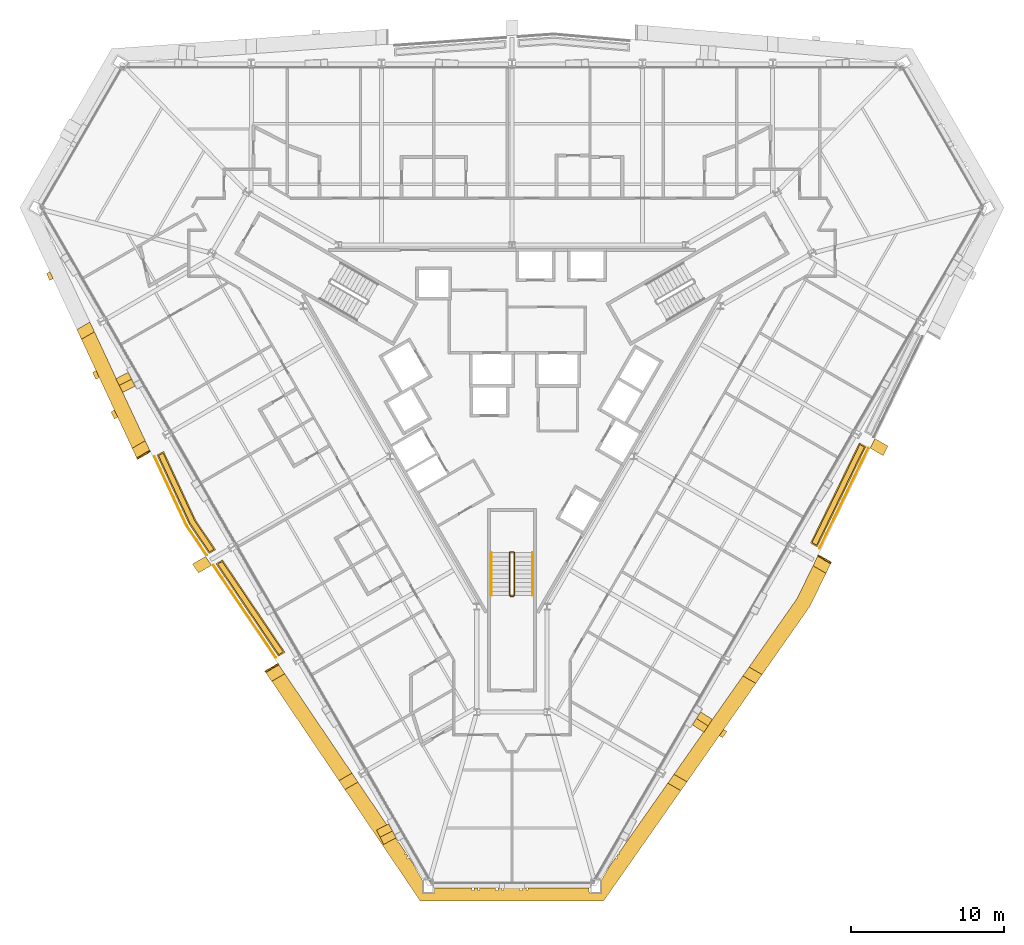
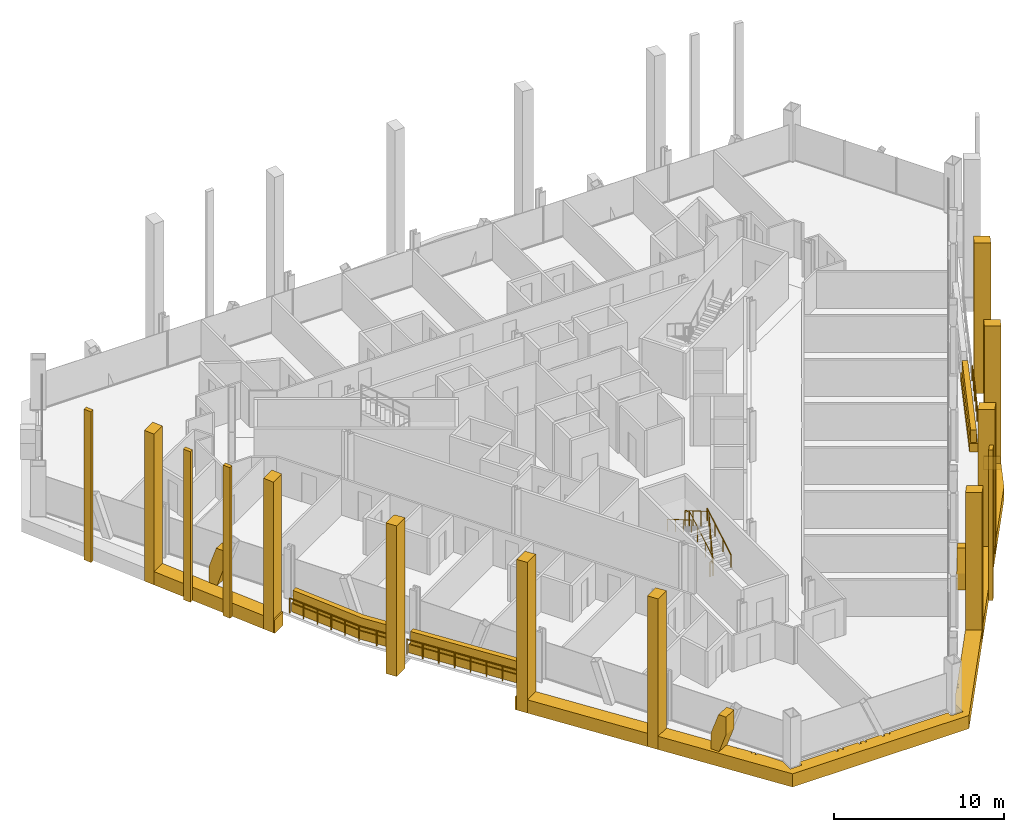
# One storey, part 16 of 18: 30 coverings, 6 railings.
"""IFC4 building model written with IfcOpenShell, lengths in metres."""

from ifc_helpers import new_model, si_unit, direction, frame, origin, origin_2d, place, context, subcontext, project, spatial, polyline, circle, outline, extrude, material, layer, layer_set, type_object, element, save


model = new_model("IFC4")

# Units and contexts
model_context = context("Model", 3, precision=1e-05, world=origin(), true_north=direction((0.0, 1.0)))
body_context = subcontext(model_context, "Body", "Model", "MODEL_VIEW")
ifc_project = project(units=[si_unit("LENGTHUNIT", "METRE"), si_unit("AREAUNIT", "SQUARE_METRE"), si_unit("VOLUMEUNIT", "CUBIC_METRE"), si_unit("PLANEANGLEUNIT", "RADIAN"), si_unit("MASSUNIT", "GRAM", prefix="KILO")], contexts=[model_context])

# Site, building, storey
site_placement = place(None, origin())
site = spatial("IfcSite", under=ifc_project, at=site_placement, CompositionType="ELEMENT")
building_placement = place(site_placement, origin())
building = spatial("IfcBuilding", under=site, at=building_placement, Name="Verrane Prism Tower", CompositionType="ELEMENT")
storey_placement = place(building_placement, frame((0.0, 0.0, 47.60009765625)))
storey = spatial("IfcBuildingStorey", under=building, at=storey_placement, Name="L09", CompositionType="ELEMENT", Elevation=47.60009765625)

# Coverings
ifc_material_1 = material(Name="Planting medium in stone kerb", Category="masonry")
covering_type_1 = type_object("IfcCoveringType", Name="Planter bed 600", PredefinedType="USERDEFINED", material=ifc_material_1)
covering_1_placement = place(storey_placement, origin())
element("IfcCovering", 1, at=covering_1_placement, inside=storey, type_object=covering_type_1, Name="Loggia planter SW3 L09", ObjectType="PLANTER", PredefinedType="USERDEFINED", context=body_context, shape_type="SweptSolid", body=[
    extrude(outline(polyline([(-23.177490234375, -4.529296875), (-21.0810546875, -9.0263671875), (-19.777099609375, -10.956298828125), (-19.343994140625, -10.706298828125), (-20.648193359375, -8.7763671875), (-22.744384765625, -4.279296875), (-23.177490234375, -4.529296875)])), origin(), (0.0, 0.0, 1.0), 0.599853515625),
])
covering_2_placement = place(storey_placement, origin())
element("IfcCovering", 2, at=covering_2_placement, inside=storey, type_object=covering_type_1, Name="Loggia planter SW4 L09", ObjectType="PLANTER", PredefinedType="USERDEFINED", context=body_context, shape_type="SweptSolid", body=[
    extrude(outline(polyline([(-19.327880859375, -11.620849609375), (-15.249755859375, -17.656494140625), (-14.81689453125, -17.406494140625), (-18.89501953125, -11.370849609375), (-19.327880859375, -11.620849609375)])), origin(), (0.0, 0.0, 1.0), 0.599853515625),
])
covering_3_placement = place(storey_placement, origin())
element("IfcCovering", 3, at=covering_3_placement, inside=storey, type_object=covering_type_1, Name="Loggia planter SE4 L09", ObjectType="PLANTER", PredefinedType="USERDEFINED", context=body_context, shape_type="SweptSolid", body=[
    extrude(outline(polyline([(19.925537109375, -10.5224609375), (23.11328125, -3.972900390625), (22.680419921875, -3.722900390625), (19.492431640625, -10.2724609375), (19.925537109375, -10.5224609375)])), origin(), (0.0, 0.0, 1.0), 0.599853515625),
])
ifc_material_2 = material(Name="Planted shrubs and grasses", Category="other")
covering_type_2 = type_object("IfcCoveringType", Name="Planting mass 1000", PredefinedType="USERDEFINED", material=ifc_material_2)
covering_4_placement = place(storey_placement, frame((0.0, 0.0, 0.599853515625)))
element("IfcCovering", 4, at=covering_4_placement, inside=storey, type_object=covering_type_2, Name="Loggia planting SW3 L09", ObjectType="PLANTING", PredefinedType="USERDEFINED", context=body_context, shape_type="SweptSolid", body=[
    extrude(outline(polyline([(-21.01123046875, -8.98681640625), (-19.75244140625, -10.849853515625), (-19.45849609375, -10.679931640625), (-20.718017578125, -8.81591796875), (-22.780029296875, -4.392333984375), (-23.073974609375, -4.56201171875), (-21.01123046875, -8.98681640625)])), origin(), (0.0, 0.0, 1.0), 0.900146484375),
])
covering_5_placement = place(storey_placement, frame((0.0, 0.0, 0.599853515625)))
element("IfcCovering", 5, at=covering_5_placement, inside=storey, type_object=covering_type_2, Name="Loggia planting SW4 L09", ObjectType="PLANTING", PredefinedType="USERDEFINED", context=body_context, shape_type="SweptSolid", body=[
    extrude(outline(polyline([(-15.22509765625, -17.550048828125), (-14.93115234375, -17.380126953125), (-18.919677734375, -11.4775390625), (-19.213623046875, -11.647216796875), (-15.22509765625, -17.550048828125)])), origin(), (0.0, 0.0, 1.0), 0.900146484375),
])
covering_6_placement = place(storey_placement, frame((0.0, 0.0, 0.599853515625)))
element("IfcCovering", 6, at=covering_6_placement, inside=storey, type_object=covering_type_2, Name="Loggia planting SE4 L09", ObjectType="PLANTING", PredefinedType="USERDEFINED", context=body_context, shape_type="SweptSolid", body=[
    extrude(outline(polyline([(23.0087890625, -4.0048828125), (22.71484375, -3.8349609375), (19.59716796875, -10.240478515625), (19.89111328125, -10.410400390625), (23.0087890625, -4.0048828125)])), origin(), (0.0, 0.0, 1.0), 0.900146484375),
])

# Railings
ifc_material_3 = material(Name="Steel A36 rail and posts, no infill", Category="steel")
railing_type_1 = type_object("IfcRailingType", Name="Stair guard 1100 steel rail and posts", PredefinedType="GUARDRAIL", material=ifc_material_3)
railing_1_placement = place(storey_placement, frame((0.14990234375, -13.699951171875, 0.16357421875)))
element("IfcRailing", 7, at=railing_1_placement, inside=storey, type_object=railing_type_1, Name="Stair 3 guard", PredefinedType="GUARDRAIL", context=body_context, shape_type="SweptSolid", body=[
    extrude(circle(Radius=0.02392578125, at=origin_2d()), frame((0.0, 0.0, 1.076171875), z_axis=(0.0, 0.863393664356, 0.504530851732), x_axis=(-1.0, 0.0, 0.0)), (0.0, 0.0, 1.0), 3.2431640625),
    extrude(circle(Radius=0.02392578125, at=origin_2d()), frame((0.0, 2.800048828125, 2.71240234375), z_axis=(-0.707106781187, 0.707106781187, 0.0), x_axis=(-0.707106781187, -0.707106781187, 0.0)), (0.0, 0.0, 1.0), 0.0703125),
    extrude(circle(Radius=0.02392578125, at=origin_2d()), frame((-0.0498046875, 2.849853515625, 2.71240234375), z_axis=(-1.0, 0.0, 0.0), x_axis=(0.0, -1.0, 0.0)), (0.0, 0.0, 1.0), 0.2001953125),
    extrude(circle(Radius=0.02392578125, at=origin_2d()), frame((-0.25, 2.849853515625, 2.71240234375), z_axis=(-0.279301935624, -0.279301935624, 0.918684307863), x_axis=(0.707106781187, -0.707106781187, 0.0)), (0.0, 0.0, 1.0), 0.17822265625),
    extrude(circle(Radius=0.02392578125, at=origin_2d()), frame((-0.2998046875, 2.800048828125, 2.8759765625), z_axis=(0.0, -0.863393664356, 0.504530851732), x_axis=(1.0, 0.0, 0.0)), (0.0, 0.0, 1.0), 3.2431640625),
    extrude(circle(Radius=0.02392578125, at=origin_2d()), frame((-0.2998046875, 0.0, 4.51220703125), z_axis=(0.069273741535, -0.013868278335, -0.997501288014), x_axis=(0.196300278283, 0.98054382908, 0.0)), (0.0, 0.0, 1.0), 3.60888671875),
    extrude(circle(Radius=0.02392578125, at=origin_2d()), frame((-0.0498046875, -0.050048828125, 0.91259765625), z_axis=(-1.0, 0.0, 0.0), x_axis=(0.0, -1.0, 0.0)), (0.0, 0.0, 1.0), 0.2001953125),
    extrude(circle(Radius=0.02099609375, at=origin_2d()), origin(), (0.0, 0.0, 1.0), 1.052001953125),
    extrude(circle(Radius=0.02099609375, at=origin_2d()), frame((0.0, 0.933349609375, 0.54541015625)), (0.0, 0.0, 1.0), 1.052001953125),
    extrude(circle(Radius=0.02099609375, at=origin_2d()), frame((0.0, 1.86669921875, 1.0908203125)), (0.0, 0.0, 1.0), 1.052001953125),
    extrude(circle(Radius=0.02099609375, at=origin_2d()), frame((0.0, 2.800048828125, 1.63623046875)), (0.0, 0.0, 1.0), 1.052001953125),
    extrude(circle(Radius=0.02099609375, at=origin_2d()), frame((-0.0498046875, 2.849853515625, 1.63623046875)), (0.0, 0.0, 1.0), 1.052001953125),
    extrude(circle(Radius=0.02099609375, at=origin_2d()), frame((-0.25, 2.849853515625, 1.63623046875)), (0.0, 0.0, 1.0), 1.052001953125),
    extrude(circle(Radius=0.02099609375, at=origin_2d()), frame((-0.2998046875, 2.800048828125, 1.800048828125)), (0.0, 0.0, 1.0), 1.052001953125),
    extrude(circle(Radius=0.02099609375, at=origin_2d()), frame((-0.2998046875, 1.86669921875, 2.345458984375)), (0.0, 0.0, 1.0), 1.052001953125),
    extrude(circle(Radius=0.02099609375, at=origin_2d()), frame((-0.2998046875, 0.933349609375, 2.890869140625)), (0.0, 0.0, 1.0), 1.052001953125),
    extrude(circle(Radius=0.02099609375, at=origin_2d()), frame((-0.2998046875, 0.0, 3.436279296875)), (0.0, 0.0, 1.0), 1.052001953125),
    extrude(circle(Radius=0.02099609375, at=origin_2d()), frame((-0.2373046875, -0.012451171875, 2.536376953125)), (0.0, 0.0, 1.0), 1.052001953125),
    extrude(circle(Radius=0.02099609375, at=origin_2d()), frame((-0.1748046875, -0.02490234375, 1.63623046875)), (0.0, 0.0, 1.0), 1.052001953125),
    extrude(circle(Radius=0.02099609375, at=origin_2d()), frame((-0.1123046875, -0.03759765625, 0.736328125)), (0.0, 0.0, 1.0), 1.052001953125),
    extrude(circle(Radius=0.02099609375, at=origin_2d()), frame((-0.0498046875, -0.050048828125, -0.16357421875)), (0.0, 0.0, 1.0), 1.052001953125),
    extrude(circle(Radius=0.02099609375, at=origin_2d()), frame((-0.25, -0.050048828125, -0.16357421875)), (0.0, 0.0, 1.0), 1.052001953125),
])
ifc_material_4 = material(Name="Steel A36 tube", Category="steel")
railing_type_2 = type_object("IfcRailingType", Name="Stair handrail 900 steel tube", PredefinedType="HANDRAIL", material=ifc_material_4)
railing_2_placement = place(storey_placement, frame((1.35009765625, -13.699951171875, 0.16357421875)))
element("IfcRailing", 8, at=railing_2_placement, inside=storey, type_object=railing_type_2, Name="Stair 3 handrail", PredefinedType="HANDRAIL", context=body_context, shape_type="SweptSolid", body=[
    extrude(circle(Radius=0.02392578125, at=origin_2d()), frame((0.0, 0.0, 0.8759765625), z_axis=(0.0, 0.863393664356, 0.504530851732), x_axis=(-1.0, 0.0, 0.0)), (0.0, 0.0, 1.0), 3.2431640625),
    extrude(circle(Radius=0.02099609375, at=origin_2d()), origin(), (0.0, 0.0, 1.0), 0.851806640625),
    extrude(circle(Radius=0.02099609375, at=origin_2d()), frame((0.0, 0.933349609375, 0.54541015625)), (0.0, 0.0, 1.0), 0.851806640625),
    extrude(circle(Radius=0.02099609375, at=origin_2d()), frame((0.0, 1.86669921875, 1.0908203125)), (0.0, 0.0, 1.0), 0.851806640625),
    extrude(circle(Radius=0.02099609375, at=origin_2d()), frame((0.0, 2.800048828125, 1.63623046875)), (0.0, 0.0, 1.0), 0.851806640625),
])
railing_3_placement = place(storey_placement, frame((-1.35009765625, -10.89990234375, 1.963623046875)))
element("IfcRailing", 9, at=railing_3_placement, inside=storey, type_object=railing_type_2, Name="Stair 3 handrail", PredefinedType="HANDRAIL", context=body_context, shape_type="SweptSolid", body=[
    extrude(circle(Radius=0.02392578125, at=origin_2d()), frame((0.0, 0.0, 0.8759765625), z_axis=(0.0, -0.863393664356, 0.504530851732), x_axis=(1.0, 0.0, 0.0)), (0.0, 0.0, 1.0), 3.2431640625),
    extrude(circle(Radius=0.02099609375, at=origin_2d()), origin(), (0.0, 0.0, 1.0), 0.851806640625),
    extrude(circle(Radius=0.02099609375, at=origin_2d()), frame((0.0, -0.933349609375, 0.54541015625)), (0.0, 0.0, 1.0), 0.851806640625),
    extrude(circle(Radius=0.02099609375, at=origin_2d()), frame((0.0, -1.86669921875, 1.0908203125)), (0.0, 0.0, 1.0), 0.851806640625),
    extrude(circle(Radius=0.02099609375, at=origin_2d()), frame((0.0, -2.800048828125, 1.63623046875)), (0.0, 0.0, 1.0), 0.851806640625),
])

# Coverings
ifc_material_5 = material(Name="Warm limestone cladding", Category="masonry")
ifc_layer_1 = layer(ifc_material_5, 0.89990234375)
ifc_layer_set_1 = layer_set([ifc_layer_1], Name="Stone brace fin 900")
covering_type_3 = type_object("IfcCoveringType", Name="Stone brace fin 900", PredefinedType="CLADDING", material=ifc_layer_set_1)
covering_7_placement = place(storey_placement, frame((-25.465087890625, 0.6630859375, 0.0), z_axis=(0.0, 0.0, 1.0), x_axis=(0.455162412488, -0.890408433394, 0.0)))
element("IfcCovering", 10, at=covering_7_placement, inside=storey, type_object=covering_type_3, Name="Stone brace fin SW2 L09", PredefinedType="CLADDING", context=body_context, shape_type="SweptSolid", body=[
    extrude(outline(polyline([(1.00537109375, 2.64990234375), (0.4921875, 2.64990234375), (0.0, 1.177001953125), (0.0, 0.0), (0.555419921875, 0.0), (1.00537109375, 1.345703125), (1.00537109375, 2.64990234375)])), frame((0.0, 0.449951171875, 0.0), z_axis=(0.0, -1.0, 0.0), x_axis=(1.0, 0.0, 0.0)), (0.0, 0.0, 1.0), 0.89990234375),
])
covering_8_placement = place(storey_placement, frame((-8.447509765625, -28.81298828125, 0.0), z_axis=(0.0, 0.0, 1.0), x_axis=(0.457629754729, -0.889142849933, 0.0)))
element("IfcCovering", 11, at=covering_8_placement, inside=storey, type_object=covering_type_3, Name="Stone brace fin SW6 L09", PredefinedType="CLADDING", context=body_context, shape_type="SweptSolid", body=[
    extrude(outline(polyline([(1.03759765625, 2.64990234375), (0.521484375, 2.64990234375), (0.0, 1.137451171875), (0.0, 0.0), (0.559814453125, 0.0), (1.03759765625, 1.38525390625), (1.03759765625, 2.64990234375)])), frame((0.0, 0.449951171875, 0.0), z_axis=(0.0, -1.0, 0.0), x_axis=(1.0, 0.0, 0.0)), (0.0, 0.0, 1.0), 0.89990234375),
])
covering_9_placement = place(storey_placement, frame((12.16015625, -22.385009765625, 0.0), z_axis=(0.0, 0.0, 1.0), x_axis=(0.542878749092, 0.839811088153, 0.0)))
element("IfcCovering", 12, at=covering_9_placement, inside=storey, type_object=covering_type_3, Name="Stone brace fin SE2 L09", PredefinedType="CLADDING", context=body_context, shape_type="SweptSolid", body=[
    extrude(outline(polyline([(1.005615234375, 2.64990234375), (0.492431640625, 2.64990234375), (0.0, 1.1767578125), (0.0, 0.0), (0.5556640625, 0.0), (1.005615234375, 1.34619140625), (1.005615234375, 2.64990234375)])), frame((0.0, 0.449951171875, 0.0), z_axis=(0.0, -1.0, 0.0), x_axis=(1.0, 0.0, 0.0)), (0.0, 0.0, 1.0), 0.89990234375),
])
ifc_material_6 = material(Name="Warm limestone cladding", Category="masonry")
covering_type_4 = type_object("IfcCoveringType", Name="Stone mullion pier 500", PredefinedType="CLADDING", material=ifc_material_6)
covering_10_placement = place(storey_placement, frame((0.0, 0.0, -0.9501953125)))
element("IfcCovering", 13, at=covering_10_placement, inside=storey, type_object=covering_type_4, Name="Stone pier SM-SW0.1 L09-L11", PredefinedType="CLADDING", context=body_context, shape_type="SweptSolid", body=[
    extrude(outline(polyline([(-29.959716796875, 6.998046875), (-30.171875, 7.452880859375), (-30.38916015625, 7.327392578125), (-30.177001953125, 6.87255859375), (-29.959716796875, 6.998046875)])), origin(), (0.0, 0.0, 1.0), 10.800048828125),
])
covering_11_placement = place(storey_placement, frame((0.0, 0.0, -0.9501953125)))
element("IfcCovering", 14, at=covering_11_placement, inside=storey, type_object=covering_type_4, Name="Stone pier SM-SW1.1 L09-L11", PredefinedType="CLADDING", context=body_context, shape_type="SweptSolid", body=[
    extrude(outline(polyline([(-26.949951171875, 0.541015625), (-27.161865234375, 0.995849609375), (-27.37939453125, 0.87060546875), (-27.167236328125, 0.41552734375), (-26.949951171875, 0.541015625)])), origin(), (0.0, 0.0, 1.0), 10.800048828125),
])
covering_12_placement = place(storey_placement, frame((0.0, 0.0, -0.9501953125)))
element("IfcCovering", 15, at=covering_12_placement, inside=storey, type_object=covering_type_4, Name="Stone pier SM-SW1.2 L09-L11", PredefinedType="CLADDING", context=body_context, shape_type="SweptSolid", body=[
    extrude(outline(polyline([(-25.74609375, -2.041748046875), (-25.9580078125, -1.5869140625), (-26.17529296875, -1.71240234375), (-25.96337890625, -2.167236328125), (-25.74609375, -2.041748046875)])), origin(), (0.0, 0.0, 1.0), 10.800048828125),
])
covering_13_placement = place(storey_placement, frame((0.0, 0.0, -0.9501953125)))
element("IfcCovering", 16, at=covering_13_placement, inside=storey, type_object=covering_type_4, Name="Stone pier SM-SE1.1 L09-L11", PredefinedType="CLADDING", context=body_context, shape_type="SweptSolid", body=[
    extrude(outline(polyline([(13.82373046875, -22.44287109375), (13.535888671875, -22.85400390625), (13.753173828125, -22.9794921875), (14.041259765625, -22.568359375), (13.82373046875, -22.44287109375)])), origin(), (0.0, 0.0, 1.0), 10.800048828125),
])
ifc_material_7 = material(Name="Warm limestone cladding", Category="masonry")
covering_type_5 = type_object("IfcCoveringType", Name="Stone pier 700", PredefinedType="CLADDING", material=ifc_material_7)
covering_14_placement = place(storey_placement, frame((0.0, 0.0, -0.9501953125)))
element("IfcCovering", 17, at=covering_14_placement, inside=storey, type_object=covering_type_5, Name="Stone pier PC-SW1 L09-L11", PredefinedType="CLADDING", context=body_context, shape_type="SweptSolid", body=[
    extrude(outline(polyline([(-28.111328125, 3.03271484375), (-27.260986328125, 3.523681640625), (-27.55810546875, 4.16064453125), (-28.408203125, 3.669677734375), (-28.111328125, 3.03271484375)])), origin(), (0.0, 0.0, 1.0), 10.800048828125),
])
covering_15_placement = place(storey_placement, frame((0.0, 0.0, -0.9501953125)))
element("IfcCovering", 18, at=covering_15_placement, inside=storey, type_object=covering_type_5, Name="Stone pier PC-SW2 L09-L11", PredefinedType="CLADDING", context=body_context, shape_type="SweptSolid", body=[
    extrude(outline(polyline([(-24.499755859375, -4.71533203125), (-23.6494140625, -4.224609375), (-23.9462890625, -3.587646484375), (-24.79638671875, -4.07861328125), (-24.499755859375, -4.71533203125)])), origin(), (0.0, 0.0, 1.0), 10.800048828125),
])
covering_16_placement = place(storey_placement, frame((0.0, 0.0, -0.9501953125)))
element("IfcCovering", 19, at=covering_16_placement, inside=storey, type_object=covering_type_5, Name="Stone pier PC-SW3 L09-L11", PredefinedType="CLADDING", context=body_context, shape_type="SweptSolid", body=[
    extrude(outline(polyline([(-20.465087890625, -12.219482421875), (-19.61572265625, -11.7294921875), (-20.0087890625, -11.14794921875), (-20.85791015625, -11.63818359375), (-20.465087890625, -12.219482421875)])), origin(), (0.0, 0.0, 1.0), 10.800048828125),
])
covering_17_placement = place(storey_placement, frame((0.0, 0.0, -0.9501953125)))
element("IfcCovering", 20, at=covering_17_placement, inside=storey, type_object=covering_type_5, Name="Stone pier PC-SW4 L09-L11", PredefinedType="CLADDING", context=body_context, shape_type="SweptSolid", body=[
    extrude(outline(polyline([(-15.685302734375, -19.293701171875), (-14.8359375, -18.80322265625), (-15.22900390625, -18.221923828125), (-16.078125, -18.712158203125), (-15.685302734375, -19.293701171875)])), origin(), (0.0, 0.0, 1.0), 10.800048828125),
])
covering_18_placement = place(storey_placement, frame((0.0, 0.0, -0.9501953125)))
element("IfcCovering", 21, at=covering_18_placement, inside=storey, type_object=covering_type_5, Name="Stone pier PC-SW5 L09-L11", PredefinedType="CLADDING", context=body_context, shape_type="SweptSolid", body=[
    extrude(outline(polyline([(-10.905517578125, -26.367431640625), (-10.056396484375, -25.877197265625), (-10.44921875, -25.2958984375), (-11.29833984375, -25.7861328125), (-10.905517578125, -26.367431640625)])), origin(), (0.0, 0.0, 1.0), 10.800048828125),
])
covering_19_placement = place(storey_placement, frame((0.0, 0.0, -0.9501953125)))
element("IfcCovering", 22, at=covering_19_placement, inside=storey, type_object=covering_type_5, Name="Stone pier PC-SE1 L09-L11", PredefinedType="CLADDING", context=body_context, shape_type="SweptSolid", body=[
    extrude(outline(polyline([(11.42919921875, -25.861572265625), (10.578857421875, -25.37060546875), (10.17578125, -25.9462890625), (11.026123046875, -26.437255859375), (11.42919921875, -25.861572265625)])), origin(), (0.0, 0.0, 1.0), 10.800048828125),
])
covering_20_placement = place(storey_placement, frame((0.0, 0.0, -0.9501953125)))
element("IfcCovering", 23, at=covering_20_placement, inside=storey, type_object=covering_type_5, Name="Stone pier PC-SE2 L09-L11", PredefinedType="CLADDING", context=body_context, shape_type="SweptSolid", body=[
    extrude(outline(polyline([(16.33349609375, -18.859619140625), (15.483154296875, -18.36865234375), (15.080078125, -18.944091796875), (15.930419921875, -19.435302734375), (16.33349609375, -18.859619140625)])), origin(), (0.0, 0.0, 1.0), 10.800048828125),
])
covering_21_placement = place(storey_placement, frame((0.0, 0.0, -0.9501953125)))
element("IfcCovering", 24, at=covering_21_placement, inside=storey, type_object=covering_type_5, Name="Stone pier PC-SE3 L09-L11", PredefinedType="CLADDING", context=body_context, shape_type="SweptSolid", body=[
    extrude(outline(polyline([(20.81494140625, -11.61328125), (19.9658203125, -11.123046875), (19.65869140625, -11.754150390625), (20.5078125, -12.244384765625), (20.81494140625, -11.61328125)])), origin(), (0.0, 0.0, 1.0), 10.800048828125),
])
covering_22_placement = place(storey_placement, frame((0.0, 0.0, -0.9501953125)))
element("IfcCovering", 25, at=covering_22_placement, inside=storey, type_object=covering_type_5, Name="Stone pier PC-SE4 L09-L11", PredefinedType="CLADDING", context=body_context, shape_type="SweptSolid", body=[
    extrude(outline(polyline([(24.551513671875, -3.93701171875), (23.7021484375, -3.44677734375), (23.39501953125, -4.07763671875), (24.244140625, -4.568115234375), (24.551513671875, -3.93701171875)])), origin(), (0.0, 0.0, 1.0), 10.800048828125),
])
ifc_material_8 = material(Name="Warm limestone cladding", Category="masonry")
ifc_layer_2 = layer(ifc_material_8, 0.449951171875)
ifc_layer_set_2 = layer_set([ifc_layer_2], Name="Stone spandrel band 450")
covering_type_6 = type_object("IfcCoveringType", Name="Stone spandrel band 450", PredefinedType="CLADDING", material=ifc_layer_set_2)
covering_23_placement = place(storey_placement, frame((0.0, 0.0, -0.9501953125)))
element("IfcCovering", 26, at=covering_23_placement, inside=storey, type_object=covering_type_6, Name="Stone spandrel band L09 part 1", PredefinedType="CLADDING", context=body_context, shape_type="SweptSolid", body=[
    extrude(outline(polyline([(-5.99267578125, -33.638671875), (5.982177734375, -33.638671875), (11.026123046875, -26.437255859375), (10.17578125, -25.9462890625), (6.972412109375, -30.51953125), (7.033447265625, -30.5546875), (6.996826171875, -30.617919921875), (6.9306640625, -30.57958984375), (6.8154296875, -30.743896484375), (6.896728515625, -30.791015625), (6.8388671875, -30.89111328125), (6.748779296875, -30.839111328125), (6.349365234375, -31.4091796875), (5.85009765625, -32.274169921875), (5.85009765625, -33.139892578125), (5.090087890625, -33.139892578125), (5.090087890625, -33.117919921875), (5.042724609375, -33.03466796875), (5.042724609375, -32.793701171875), (1.0283203125, -32.793701171875), (1.0615234375, -32.930908203125), (0.975341796875, -32.95166015625), (0.937255859375, -32.793701171875), (0.65185546875, -32.793701171875), (0.65185546875, -32.9599609375), (0.502197265625, -32.9599609375), (0.502197265625, -32.793701171875), (-0.5615234375, -32.793701171875), (-0.5615234375, -32.9599609375), (-0.65185546875, -32.9599609375), (-0.65185546875, -32.793701171875), (-0.910888671875, -32.793701171875), (-0.910888671875, -32.9599609375), (-1.060791015625, -32.9599609375), (-1.060791015625, -32.793701171875), (-2.12451171875, -32.793701171875), (-2.12451171875, -32.9599609375), (-2.214599609375, -32.9599609375), (-2.214599609375, -32.793701171875), (-2.473876953125, -32.793701171875), (-2.473876953125, -32.9599609375), (-2.62353515625, -32.9599609375), (-2.62353515625, -32.793701171875), (-5.042724609375, -32.793701171875), (-5.042724609375, -33.03466796875), (-5.090087890625, -33.117919921875), (-5.090087890625, -33.139892578125), (-5.85009765625, -33.139892578125), (-5.85009765625, -32.274169921875), (-6.531005859375, -31.094482421875), (-6.71630859375, -30.8203125), (-6.8388671875, -30.89111328125), (-6.896728515625, -30.791015625), (-6.78125, -30.72412109375), (-6.8935546875, -30.55810546875), (-6.996826171875, -30.617919921875), (-7.033447265625, -30.5546875), (-6.934326171875, -30.49755859375), (-7.39892578125, -29.810302734375), (-7.447509765625, -29.83837890625), (-7.50537109375, -29.738037109375), (-7.4638671875, -29.714111328125), (-7.58447265625, -29.53564453125), (-7.61328125, -29.550537109375), (-7.6474609375, -29.484375), (-7.62646484375, -29.4736328125), (-10.056396484375, -25.877197265625), (-10.905517578125, -26.367431640625), (-5.99267578125, -33.638671875)])), origin(), (0.0, 0.0, 1.0), 0.9501953125),
])
covering_24_placement = place(storey_placement, frame((0.0, 0.0, -0.9501953125)))
element("IfcCovering", 27, at=covering_24_placement, inside=storey, type_object=covering_type_6, Name="Stone spandrel band L09 part 4", PredefinedType="CLADDING", context=body_context, shape_type="SweptSolid", body=[
    extrude(outline(polyline([(-23.9462890625, -3.587646484375), (-27.260986328125, 3.523681640625), (-28.111328125, 3.03271484375), (-24.79638671875, -4.07861328125), (-23.9462890625, -3.587646484375)])), origin(), (0.0, 0.0, 1.0), 0.9501953125),
])
covering_25_placement = place(storey_placement, frame((0.0, 0.0, -0.9501953125)))
element("IfcCovering", 28, at=covering_25_placement, inside=storey, type_object=covering_type_6, Name="Stone spandrel band L09 part 5", PredefinedType="CLADDING", context=body_context, shape_type="SweptSolid", body=[
    extrude(outline(polyline([(-15.685302734375, -19.293701171875), (-11.29833984375, -25.7861328125), (-10.44921875, -25.2958984375), (-14.8359375, -18.80322265625), (-15.685302734375, -19.293701171875)])), origin(), (0.0, 0.0, 1.0), 0.9501953125),
])
covering_26_placement = place(storey_placement, frame((0.0, 0.0, -0.9501953125)))
element("IfcCovering", 29, at=covering_26_placement, inside=storey, type_object=covering_type_6, Name="Stone spandrel band L09 part 6", PredefinedType="CLADDING", context=body_context, shape_type="SweptSolid", body=[
    extrude(outline(polyline([(15.080078125, -18.944091796875), (10.578857421875, -25.37060546875), (11.42919921875, -25.861572265625), (15.930419921875, -19.435302734375), (15.080078125, -18.944091796875)])), origin(), (0.0, 0.0, 1.0), 0.9501953125),
])
covering_27_placement = place(storey_placement, frame((0.0, 0.0, -0.9501953125)))
element("IfcCovering", 30, at=covering_27_placement, inside=storey, type_object=covering_type_6, Name="Stone spandrel band L09 part 7", PredefinedType="CLADDING", context=body_context, shape_type="SweptSolid", body=[
    extrude(outline(polyline([(19.462158203125, -14.392822265625), (20.5078125, -12.244384765625), (19.65869140625, -11.754150390625), (18.61669921875, -13.89501953125), (15.483154296875, -18.36865234375), (16.33349609375, -18.859619140625), (19.462158203125, -14.392822265625)])), origin(), (0.0, 0.0, 1.0), 0.9501953125),
])
covering_28_placement = place(storey_placement, frame((0.0, 0.0, -0.9501953125)))
element("IfcCovering", 31, at=covering_28_placement, inside=storey, type_object=covering_type_6, Name="Stone spandrel band L09 part 10", PredefinedType="CLADDING", context=body_context, shape_type="SweptSolid", body=[
    extrude(outline(polyline([(-24.457275390625, -4.806396484375), (-23.60693359375, -4.315673828125), (-23.6494140625, -4.224609375), (-24.499755859375, -4.71533203125), (-24.457275390625, -4.806396484375)])), origin(), (0.0, 0.0, 1.0), 0.9501953125),
])
covering_29_placement = place(storey_placement, frame((0.0, 0.0, -0.9501953125)))
element("IfcCovering", 32, at=covering_29_placement, inside=storey, type_object=covering_type_6, Name="Stone spandrel band L09 part 11", PredefinedType="CLADDING", context=body_context, shape_type="SweptSolid", body=[
    extrude(outline(polyline([(-15.28515625, -18.138916015625), (-16.13427734375, -18.62890625), (-16.078125, -18.712158203125), (-15.22900390625, -18.221923828125), (-15.28515625, -18.138916015625)])), origin(), (0.0, 0.0, 1.0), 0.9501953125),
])
covering_30_placement = place(storey_placement, frame((0.0, 0.0, -0.9501953125)))
element("IfcCovering", 33, at=covering_30_placement, inside=storey, type_object=covering_type_6, Name="Stone spandrel band L09 part 12", PredefinedType="CLADDING", context=body_context, shape_type="SweptSolid", body=[
    extrude(outline(polyline([(20.81494140625, -11.61328125), (20.85888671875, -11.523193359375), (20.009765625, -11.032958984375), (19.9658203125, -11.123046875), (20.81494140625, -11.61328125)])), origin(), (0.0, 0.0, 1.0), 0.9501953125),
])

# Railings
ifc_material_9 = material(Name="Stainless steel and laminated glass", Category="steel")
railing_type_3 = type_object("IfcRailingType", Name="Terrace guard 1100", PredefinedType="GUARDRAIL", material=ifc_material_9)
railing_4_placement = place(storey_placement, frame((-23.333251953125, -4.619384765625, 0.0)))
element("IfcRailing", 34, at=railing_4_placement, inside=storey, type_object=railing_type_3, Name="Loggia guard SW3 L09", PredefinedType="GUARDRAIL", context=body_context, shape_type="SweptSolid", body=[
    extrude(circle(Radius=0.02392578125, at=origin_2d()), frame((0.0, 0.0, 1.076171875), z_axis=(0.422481360719, -0.906371612444, 0.0), x_axis=(0.906371612444, 0.422481360719, 0.0)), (0.0, 0.0, 1.0), 4.961669921875),
    extrude(circle(Radius=0.02392578125, at=origin_2d()), frame((2.09619140625, -4.4970703125, 1.076171875), z_axis=(0.559913811638, -0.828550857544, 0.0), x_axis=(0.828550857544, 0.559913811638, 0.0)), (0.0, 0.0, 1.0), 2.329345703125),
    extrude(circle(Radius=0.02099609375, at=origin_2d()), origin(), (0.0, 0.0, 1.0), 1.052001953125),
    extrude(circle(Radius=0.02099609375, at=origin_2d()), frame((0.419189453125, -0.8994140625, 0.0)), (0.0, 0.0, 1.0), 1.052001953125),
    extrude(circle(Radius=0.02099609375, at=origin_2d()), frame((0.83837890625, -1.798828125, 0.0)), (0.0, 0.0, 1.0), 1.052001953125),
    extrude(circle(Radius=0.02099609375, at=origin_2d()), frame((1.2578125, -2.6982421875, 0.0)), (0.0, 0.0, 1.0), 1.052001953125),
    extrude(circle(Radius=0.02099609375, at=origin_2d()), frame((1.677001953125, -3.59765625, 0.0)), (0.0, 0.0, 1.0), 1.052001953125),
    extrude(circle(Radius=0.02099609375, at=origin_2d()), frame((2.09619140625, -4.4970703125, 0.0)), (0.0, 0.0, 1.0), 1.052001953125),
    extrude(circle(Radius=0.02099609375, at=origin_2d()), frame((2.748291015625, -5.4619140625, 0.0)), (0.0, 0.0, 1.0), 1.052001953125),
    extrude(circle(Radius=0.02099609375, at=origin_2d()), frame((3.400390625, -6.427001953125, 0.0)), (0.0, 0.0, 1.0), 1.052001953125),
])
railing_5_placement = place(storey_placement, frame((-19.48388671875, -11.7109375, 0.0)))
element("IfcRailing", 35, at=railing_5_placement, inside=storey, type_object=railing_type_3, Name="Loggia guard SW4 L09", PredefinedType="GUARDRAIL", context=body_context, shape_type="SweptSolid", body=[
    extrude(circle(Radius=0.02392578125, at=origin_2d()), frame((0.0, 0.0, 1.076171875), z_axis=(0.559856167443, -0.828589809119, 0.0), x_axis=(0.828589809119, 0.559856167443, 0.0)), (0.0, 0.0, 1.0), 7.2841796875),
    extrude(circle(Radius=0.02099609375, at=origin_2d()), origin(), (0.0, 0.0, 1.0), 1.052001953125),
    extrude(circle(Radius=0.02099609375, at=origin_2d()), frame((0.58251953125, -0.8623046875, 0.0)), (0.0, 0.0, 1.0), 1.052001953125),
    extrude(circle(Radius=0.02099609375, at=origin_2d()), frame((1.165283203125, -1.724365234375, 0.0)), (0.0, 0.0, 1.0), 1.052001953125),
    extrude(circle(Radius=0.02099609375, at=origin_2d()), frame((1.747802734375, -2.586669921875, 0.0)), (0.0, 0.0, 1.0), 1.052001953125),
    extrude(circle(Radius=0.02099609375, at=origin_2d()), frame((2.330322265625, -3.448974609375, 0.0)), (0.0, 0.0, 1.0), 1.052001953125),
    extrude(circle(Radius=0.02099609375, at=origin_2d()), frame((2.912841796875, -4.311279296875, 0.0)), (0.0, 0.0, 1.0), 1.052001953125),
    extrude(circle(Radius=0.02099609375, at=origin_2d()), frame((3.49560546875, -5.17333984375, 0.0)), (0.0, 0.0, 1.0), 1.052001953125),
    extrude(circle(Radius=0.02099609375, at=origin_2d()), frame((4.078125, -6.03564453125, 0.0)), (0.0, 0.0, 1.0), 1.052001953125),
])
railing_6_placement = place(storey_placement, frame((20.081298828125, -10.612548828125, 0.0)))
element("IfcRailing", 36, at=railing_6_placement, inside=storey, type_object=railing_type_3, Name="Loggia guard SE4 L09", PredefinedType="GUARDRAIL", context=body_context, shape_type="SweptSolid", body=[
    extrude(circle(Radius=0.02392578125, at=origin_2d()), frame((0.0, 0.0, 1.076171875), z_axis=(0.437642967361, 0.899148838135, 0.0), x_axis=(-0.899148838135, 0.437642967361, 0.0)), (0.0, 0.0, 1.0), 7.284423828125),
    extrude(circle(Radius=0.02099609375, at=origin_2d()), origin(), (0.0, 0.0, 1.0), 1.052001953125),
    extrude(circle(Radius=0.02099609375, at=origin_2d()), frame((0.455322265625, 0.935791015625, 0.0)), (0.0, 0.0, 1.0), 1.052001953125),
    extrude(circle(Radius=0.02099609375, at=origin_2d()), frame((0.910888671875, 1.871337890625, 0.0)), (0.0, 0.0, 1.0), 1.052001953125),
    extrude(circle(Radius=0.02099609375, at=origin_2d()), frame((1.3662109375, 2.80712890625, 0.0)), (0.0, 0.0, 1.0), 1.052001953125),
    extrude(circle(Radius=0.02099609375, at=origin_2d()), frame((1.82177734375, 3.74267578125, 0.0)), (0.0, 0.0, 1.0), 1.052001953125),
    extrude(circle(Radius=0.02099609375, at=origin_2d()), frame((2.277099609375, 4.678466796875, 0.0)), (0.0, 0.0, 1.0), 1.052001953125),
    extrude(circle(Radius=0.02099609375, at=origin_2d()), frame((2.732666015625, 5.614013671875, 0.0)), (0.0, 0.0, 1.0), 1.052001953125),
    extrude(circle(Radius=0.02099609375, at=origin_2d()), frame((3.18798828125, 6.5498046875, 0.0)), (0.0, 0.0, 1.0), 1.052001953125),
])

save(model, "model.ifc")
